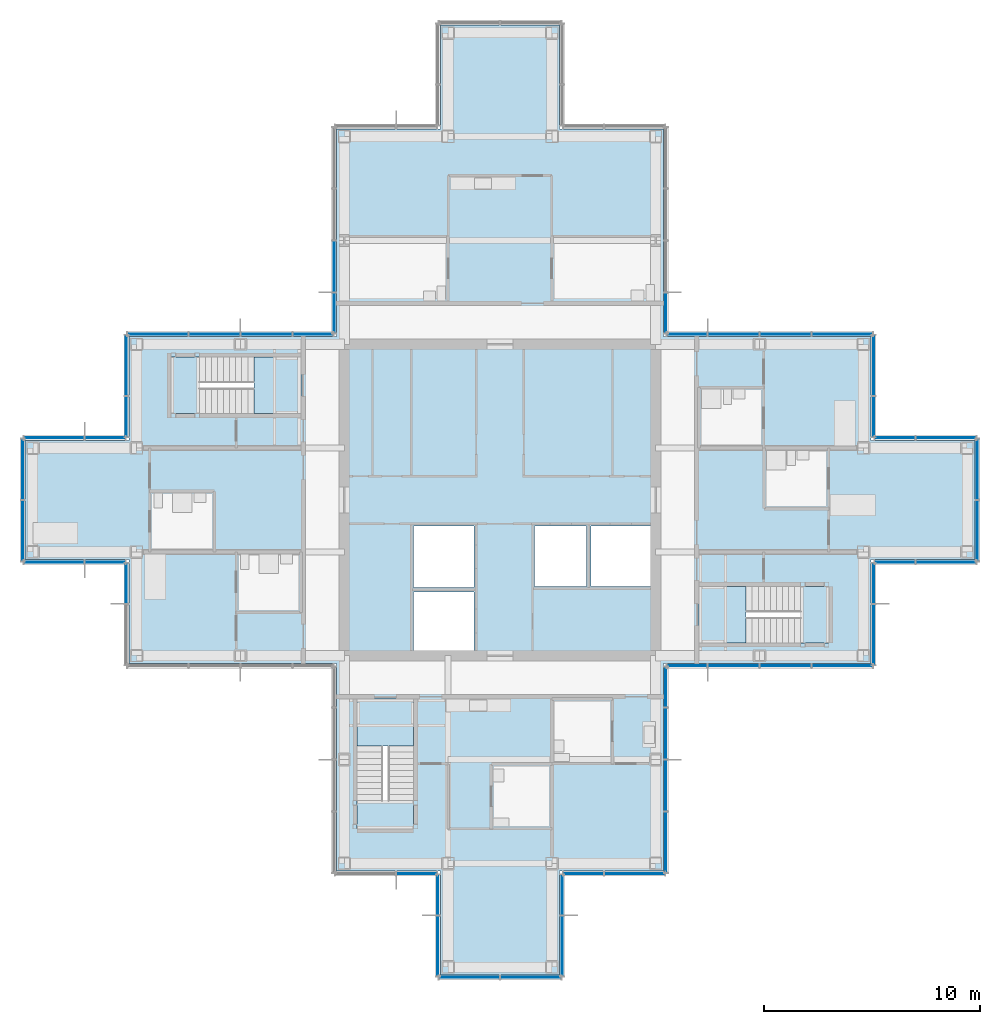
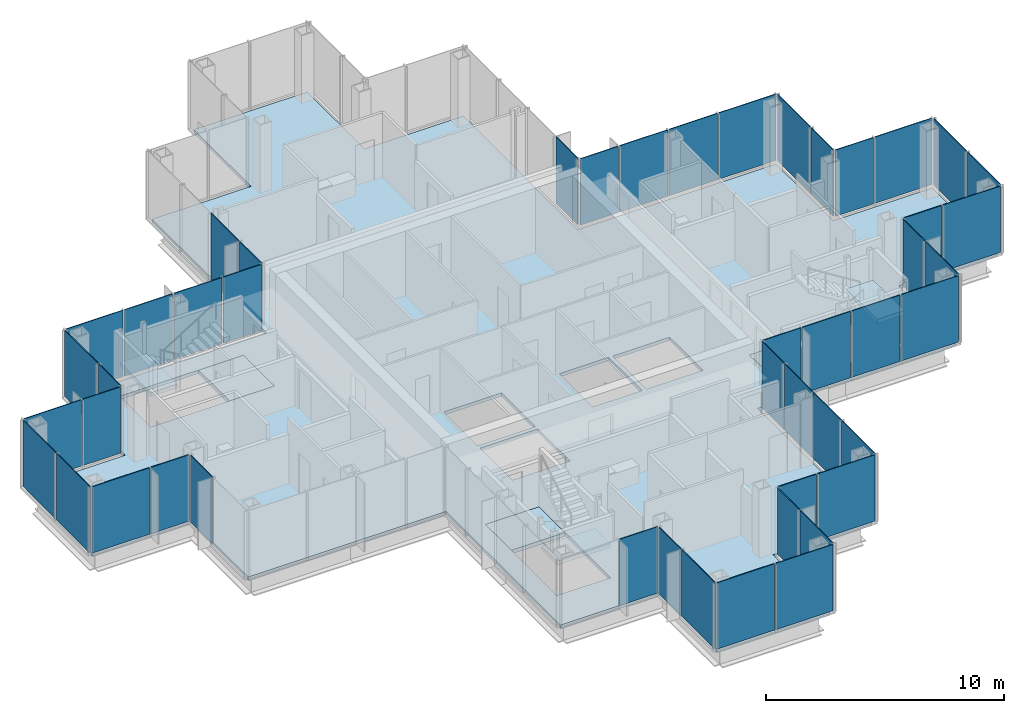
# One storey, part 10 of 17: 47 plates, 7 slabs, 24 elements without a shape of their own.
"""IFC4 building model written with IfcOpenShell, lengths in metres."""

from ifc_helpers import new_model, si_unit, direction, frame, origin, origin_2d, place, context, subcontext, project, spatial, polyline, rectangle, outline, extrude, material, layer, layer_set, type_object, element, aggregate, save


model = new_model("IFC4")

# Units and contexts
model_context = context("Model", 3, precision=1e-05, world=origin(), true_north=direction((0.0, 1.0)))
body_context = subcontext(model_context, "Body", "Model", "MODEL_VIEW")
ifc_project = project(units=[si_unit("LENGTHUNIT", "METRE"), si_unit("AREAUNIT", "SQUARE_METRE"), si_unit("VOLUMEUNIT", "CUBIC_METRE"), si_unit("PLANEANGLEUNIT", "RADIAN"), si_unit("MASSUNIT", "GRAM", prefix="KILO")], contexts=[model_context])

# Site, building, storey
site_placement = place(None, origin())
site = spatial("IfcSite", under=ifc_project, at=site_placement, CompositionType="ELEMENT")
building_placement = place(site_placement, origin())
building = spatial("IfcBuilding", under=site, at=building_placement, Name="Kvirike Care Tower", CompositionType="ELEMENT")
storey_placement = place(building_placement, frame((0.0, 0.0, 162.0)))
storey = spatial("IfcBuildingStorey", under=building, at=storey_placement, Name="L44", CompositionType="ELEMENT", Elevation=162.0)

# Slab
ifc_material_1 = material(Name="Concrete C35/45", Category="concrete")
ifc_layer_1 = layer(ifc_material_1, 0.169921875)
ifc_layer_set_1 = layer_set([ifc_layer_1], Name="FLOOR SLAB 170")
slab_type_1 = type_object("IfcSlabType", Name="FLOOR SLAB 170", PredefinedType="FLOOR", material=ifc_layer_set_1)
slab_1_placement = place(storey_placement, frame((0.0, 0.0, -0.169921875)))
element("IfcSlab", 1, at=slab_1_placement, inside=storey, type_object=slab_type_1, Name="Floor slab L44", PredefinedType="FLOOR", context=body_context, shape_type="SweptSolid", body=[
    extrude(outline(polyline([(29.14990234375, 28.449951171875), (38.75, 28.449951171875), (38.75, 33.25), (43.550048828125, 33.25), (43.550048828125, 38.75), (38.75, 38.75), (38.75, 43.550048828125), (29.14990234375, 43.550048828125), (29.14990234375, 53.14990234375), (24.35009765625, 53.14990234375), (24.35009765625, 57.949951171875), (18.85009765625, 57.949951171875), (18.85009765625, 53.14990234375), (14.050048828125, 53.14990234375), (14.050048828125, 43.550048828125), (4.449951171875, 43.550048828125), (4.449951171875, 38.75), (-0.35009765625, 38.75), (-0.35009765625, 33.25), (4.449951171875, 33.25), (4.449951171875, 28.449951171875), (14.050048828125, 28.449951171875), (14.050048828125, 18.85009765625), (18.85009765625, 18.85009765625), (18.85009765625, 14.050048828125), (24.35009765625, 14.050048828125), (24.35009765625, 18.85009765625), (29.14990234375, 18.85009765625), (29.14990234375, 28.449951171875)]), holes=[polyline([(17.60009765625, 29.050048828125), (17.60009765625, 31.75), (20.39990234375, 31.75), (20.39990234375, 29.050048828125), (17.60009765625, 29.050048828125)]), polyline([(17.60009765625, 31.949951171875), (17.60009765625, 34.800048828125), (20.39990234375, 34.800048828125), (20.39990234375, 31.949951171875), (17.60009765625, 31.949951171875)]), polyline([(23.199951171875, 32.0), (23.199951171875, 34.800048828125), (25.60009765625, 34.800048828125), (25.60009765625, 32.0), (23.199951171875, 32.0)]), polyline([(25.800048828125, 32.0), (25.800048828125, 34.800048828125), (28.550048828125, 34.800048828125), (28.550048828125, 32.0), (25.800048828125, 32.0)]), polyline([(12.39990234375, 42.60009765625), (12.39990234375, 40.0), (6.39990234375, 40.0), (6.39990234375, 42.60009765625), (12.39990234375, 42.60009765625)]), polyline([(30.800048828125, 29.39990234375), (30.800048828125, 32.0), (36.800048828125, 32.0), (36.800048828125, 29.39990234375), (30.800048828125, 29.39990234375)]), polyline([(15.0, 26.800048828125), (17.60009765625, 26.800048828125), (17.60009765625, 20.800048828125), (15.0, 20.800048828125), (15.0, 26.800048828125)])]), origin(), (0.0, 0.0, 1.0), 0.169921875),
])

# Stair, slabs
ifc_material_2 = material(Name="Concrete C35/45", Category="concrete")
stair_type = type_object("IfcStairType", Name="STAIR 20 RISERS", PredefinedType="HALF_TURN_STAIR", material=ifc_material_2)
stair_1_placement = place(storey_placement, origin())
stair_1 = element("IfcStair", 2, at=stair_1_placement, inside=storey, type_object=stair_type, Name="Stair 1 L44", PredefinedType="HALF_TURN_STAIR")
ifc_material_3 = material(Name="Concrete C35/45", Category="concrete")
ifc_layer_2 = layer(ifc_material_3, 0.199951171875)
ifc_layer_set_2 = layer_set([ifc_layer_2], Name="STAIR LANDING 200")
slab_type_2 = type_object("IfcSlabType", Name="STAIR LANDING 200", PredefinedType="LANDING", material=ifc_layer_set_2)
slab_2_placement = place(storey_placement, frame((0.0, 0.0, -0.199951171875)))
slab_2 = element("IfcSlab", 3, at=slab_2_placement, type_object=slab_type_2, Name="Stair S1 floor landing L44", PredefinedType="LANDING", context=body_context, shape_type="SweptSolid", body=[
    extrude(outline(polyline([(10.219970703125, 42.60009765625), (10.219970703125, 40.0), (12.39990234375, 40.0), (12.39990234375, 42.60009765625), (10.219970703125, 42.60009765625)])), origin(), (0.0, 0.0, 1.0), 0.199951171875),
])
slab_3_placement = place(storey_placement, frame((0.0, 0.0, 1.550048828125)))
slab_3 = element("IfcSlab", 4, at=slab_3_placement, type_object=slab_type_2, Name="Stair S1 half landing L44-L45", PredefinedType="LANDING", context=body_context, shape_type="SweptSolid", body=[
    extrude(outline(polyline([(6.39990234375, 42.60009765625), (6.39990234375, 40.0), (7.699951171875, 40.0), (7.699951171875, 42.60009765625), (6.39990234375, 42.60009765625)])), origin(), (0.0, 0.0, 1.0), 0.199951171875),
])
aggregate(stair_1, [slab_2, slab_3])

stair_2_placement = place(storey_placement, origin())
stair_2 = element("IfcStair", 5, at=stair_2_placement, inside=storey, type_object=stair_type, Name="Stair 2 L44", PredefinedType="HALF_TURN_STAIR")
slab_4_placement = place(storey_placement, frame((0.0, 0.0, -0.199951171875)))
slab_4 = element("IfcSlab", 6, at=slab_4_placement, type_object=slab_type_2, Name="Stair S2 floor landing L44", PredefinedType="LANDING", context=body_context, shape_type="SweptSolid", body=[
    extrude(outline(polyline([(32.97998046875, 29.39990234375), (32.97998046875, 32.0), (30.800048828125, 32.0), (30.800048828125, 29.39990234375), (32.97998046875, 29.39990234375)])), origin(), (0.0, 0.0, 1.0), 0.199951171875),
])
slab_5_placement = place(storey_placement, frame((0.0, 0.0, 1.550048828125)))
slab_5 = element("IfcSlab", 7, at=slab_5_placement, type_object=slab_type_2, Name="Stair S2 half landing L44-L45", PredefinedType="LANDING", context=body_context, shape_type="SweptSolid", body=[
    extrude(outline(polyline([(36.800048828125, 29.39990234375), (36.800048828125, 32.0), (35.5, 32.0), (35.5, 29.39990234375), (36.800048828125, 29.39990234375)])), origin(), (0.0, 0.0, 1.0), 0.199951171875),
])
aggregate(stair_2, [slab_4, slab_5])

stair_3_placement = place(storey_placement, origin())
stair_3 = element("IfcStair", 8, at=stair_3_placement, inside=storey, type_object=stair_type, Name="Stair 5 L44", PredefinedType="HALF_TURN_STAIR")
slab_6_placement = place(storey_placement, frame((0.0, 0.0, -0.199951171875)))
slab_6 = element("IfcSlab", 9, at=slab_6_placement, type_object=slab_type_2, Name="Stair S5 floor landing L44", PredefinedType="LANDING", context=body_context, shape_type="SweptSolid", body=[
    extrude(outline(polyline([(15.0, 24.6201171875), (17.60009765625, 24.6201171875), (17.60009765625, 26.800048828125), (15.0, 26.800048828125), (15.0, 24.6201171875)])), origin(), (0.0, 0.0, 1.0), 0.199951171875),
])
slab_7_placement = place(storey_placement, frame((0.0, 0.0, 1.550048828125)))
slab_7 = element("IfcSlab", 10, at=slab_7_placement, type_object=slab_type_2, Name="Stair S5 half landing L44-L45", PredefinedType="LANDING", context=body_context, shape_type="SweptSolid", body=[
    extrude(outline(polyline([(15.0, 20.800048828125), (17.60009765625, 20.800048828125), (17.60009765625, 22.10009765625), (15.0, 22.10009765625), (15.0, 20.800048828125)])), origin(), (0.0, 0.0, 1.0), 0.199951171875),
])
aggregate(stair_3, [slab_6, slab_7])

# Curtain wall, plates
ifc_material_4 = material(Name="Anodised aluminium stick system", Category="aluminium")
curtain_wall_type = type_object("IfcCurtainWallType", Name="CW-C STICK CURTAIN WALL", PredefinedType="NOTDEFINED", material=ifc_material_4)
curtain_wall_1_placement = place(storey_placement, origin())
curtain_wall_1 = element("IfcCurtainWall", 11, at=curtain_wall_1_placement, inside=storey, type_object=curtain_wall_type, Name="Curtain wall L44 face 1", PredefinedType="NOTDEFINED")
ifc_material_5 = material(Name="Tinted double glazed unit", Category="glass")
ifc_layer_3 = layer(ifc_material_5, 0.0400390625)
ifc_layer_set_3 = layer_set([ifc_layer_3], Name="TINTED VISION PANEL 40")
plate_type = type_object("IfcPlateType", Name="TINTED VISION PANEL 40", PredefinedType="CURTAIN_PANEL", material=ifc_layer_set_3)
plate_1_placement = place(storey_placement, frame((30.251220703125, 28.330078125, 0.10009765625), z_axis=(0.0, 0.0, 1.0), x_axis=(1.0, 0.0, 0.0)))
plate_1 = element("IfcPlate", 12, at=plate_1_placement, type_object=plate_type, Name="CW-C panel L44 face 1.1", PredefinedType="CURTAIN_PANEL", context=body_context, shape_type="SweptSolid", body=[
    extrude(rectangle(XDim=1.83251953125, YDim=0.0400390625, at=origin_2d()), origin(), (0.0, 0.0, 1.0), 3.39990234375),
])
plate_2_placement = place(storey_placement, frame((32.39990234375, 28.330078125, 0.10009765625), z_axis=(0.0, 0.0, 1.0), x_axis=(1.0, 0.0, 0.0)))
plate_2 = element("IfcPlate", 13, at=plate_2_placement, type_object=plate_type, Name="CW-C panel L44 face 1.2", PredefinedType="CURTAIN_PANEL", context=body_context, shape_type="SweptSolid", body=[
    extrude(rectangle(XDim=2.3349609375, YDim=0.0400390625, at=origin_2d()), origin(), (0.0, 0.0, 1.0), 3.39990234375),
])
plate_3_placement = place(storey_placement, frame((34.800048828125, 28.330078125, 0.10009765625), z_axis=(0.0, 0.0, 1.0), x_axis=(1.0, 0.0, 0.0)))
plate_3 = element("IfcPlate", 14, at=plate_3_placement, type_object=plate_type, Name="CW-C panel L44 face 1.3", PredefinedType="CURTAIN_PANEL", context=body_context, shape_type="SweptSolid", body=[
    extrude(rectangle(XDim=2.3349609375, YDim=0.0400390625, at=origin_2d()), origin(), (0.0, 0.0, 1.0), 3.39990234375),
])
plate_4_placement = place(storey_placement, frame((37.418701171875, 28.330078125, 0.10009765625), z_axis=(0.0, 0.0, 1.0), x_axis=(1.0, 0.0, 0.0)))
plate_4 = element("IfcPlate", 15, at=plate_4_placement, type_object=plate_type, Name="CW-C panel L44 face 1.4", PredefinedType="CURTAIN_PANEL", context=body_context, shape_type="SweptSolid", body=[
    extrude(rectangle(XDim=2.7724609375, YDim=0.0400390625, at=origin_2d()), origin(), (0.0, 0.0, 1.0), 3.39990234375),
])
aggregate(curtain_wall_1, [plate_1, plate_2, plate_3, plate_4])

curtain_wall_2_placement = place(storey_placement, origin())
curtain_wall_2 = element("IfcCurtainWall", 16, at=curtain_wall_2_placement, inside=storey, type_object=curtain_wall_type, Name="Curtain wall L44 face 2", PredefinedType="NOTDEFINED")
plate_5_placement = place(storey_placement, frame((38.8701171875, 29.78125, 0.10009765625), z_axis=(0.0, 0.0, 1.0), x_axis=(0.0, 1.0, 0.0)))
plate_5 = element("IfcPlate", 17, at=plate_5_placement, type_object=plate_type, Name="CW-C panel L44 face 2.1", PredefinedType="CURTAIN_PANEL", context=body_context, shape_type="SweptSolid", body=[
    extrude(rectangle(XDim=2.7724609375, YDim=0.0400390625, at=origin_2d()), origin(), (0.0, 0.0, 1.0), 3.39990234375),
])
plate_6_placement = place(storey_placement, frame((38.8701171875, 32.148681640625, 0.10009765625), z_axis=(0.0, 0.0, 1.0), x_axis=(0.0, 1.0, 0.0)))
plate_6 = element("IfcPlate", 18, at=plate_6_placement, type_object=plate_type, Name="CW-C panel L44 face 2.2", PredefinedType="CURTAIN_PANEL", context=body_context, shape_type="SweptSolid", body=[
    extrude(rectangle(XDim=1.83251953125, YDim=0.0400390625, at=origin_2d()), origin(), (0.0, 0.0, 1.0), 3.39990234375),
])
aggregate(curtain_wall_2, [plate_5, plate_6])

curtain_wall_3_placement = place(storey_placement, origin())
curtain_wall_3 = element("IfcCurtainWall", 19, at=curtain_wall_3_placement, inside=storey, type_object=curtain_wall_type, Name="Curtain wall L44 face 3", PredefinedType="NOTDEFINED")
plate_7_placement = place(storey_placement, frame((39.851318359375, 33.1298828125, 0.10009765625), z_axis=(0.0, 0.0, 1.0), x_axis=(1.0, 0.0, 0.0)))
plate_7 = element("IfcPlate", 20, at=plate_7_placement, type_object=plate_type, Name="CW-C panel L44 face 3.1", PredefinedType="CURTAIN_PANEL", context=body_context, shape_type="SweptSolid", body=[
    extrude(rectangle(XDim=1.83251953125, YDim=0.0400390625, at=origin_2d()), origin(), (0.0, 0.0, 1.0), 3.39990234375),
])
plate_8_placement = place(storey_placement, frame((42.21875, 33.1298828125, 0.10009765625), z_axis=(0.0, 0.0, 1.0), x_axis=(1.0, 0.0, 0.0)))
plate_8 = element("IfcPlate", 21, at=plate_8_placement, type_object=plate_type, Name="CW-C panel L44 face 3.2", PredefinedType="CURTAIN_PANEL", context=body_context, shape_type="SweptSolid", body=[
    extrude(rectangle(XDim=2.7724609375, YDim=0.0400390625, at=origin_2d()), origin(), (0.0, 0.0, 1.0), 3.39990234375),
])
aggregate(curtain_wall_3, [plate_7, plate_8])

curtain_wall_4_placement = place(storey_placement, origin())
curtain_wall_4 = element("IfcCurtainWall", 22, at=curtain_wall_4_placement, inside=storey, type_object=curtain_wall_type, Name="Curtain wall L44 face 4", PredefinedType="NOTDEFINED")
plate_9_placement = place(storey_placement, frame((43.669921875, 34.581298828125, 0.10009765625), z_axis=(0.0, 0.0, 1.0), x_axis=(0.0, 1.0, 0.0)))
plate_9 = element("IfcPlate", 23, at=plate_9_placement, type_object=plate_type, Name="CW-C panel L44 face 4.1", PredefinedType="CURTAIN_PANEL", context=body_context, shape_type="SweptSolid", body=[
    extrude(rectangle(XDim=2.7724609375, YDim=0.0400390625, at=origin_2d()), origin(), (0.0, 0.0, 1.0), 3.39990234375),
])
plate_10_placement = place(storey_placement, frame((43.669921875, 37.418701171875, 0.10009765625), z_axis=(0.0, 0.0, 1.0), x_axis=(0.0, 1.0, 0.0)))
plate_10 = element("IfcPlate", 24, at=plate_10_placement, type_object=plate_type, Name="CW-C panel L44 face 4.2", PredefinedType="CURTAIN_PANEL", context=body_context, shape_type="SweptSolid", body=[
    extrude(rectangle(XDim=2.7724609375, YDim=0.0400390625, at=origin_2d()), origin(), (0.0, 0.0, 1.0), 3.39990234375),
])
aggregate(curtain_wall_4, [plate_9, plate_10])

curtain_wall_5_placement = place(storey_placement, origin())
curtain_wall_5 = element("IfcCurtainWall", 25, at=curtain_wall_5_placement, inside=storey, type_object=curtain_wall_type, Name="Curtain wall L44 face 5", PredefinedType="NOTDEFINED")
plate_11_placement = place(storey_placement, frame((42.21875, 38.8701171875, 0.10009765625), z_axis=(0.0, 0.0, 1.0), x_axis=(-1.0, 0.0, 0.0)))
plate_11 = element("IfcPlate", 26, at=plate_11_placement, type_object=plate_type, Name="CW-C panel L44 face 5.1", PredefinedType="CURTAIN_PANEL", context=body_context, shape_type="SweptSolid", body=[
    extrude(rectangle(XDim=2.7724609375, YDim=0.0400390625, at=origin_2d()), origin(), (0.0, 0.0, 1.0), 3.39990234375),
])
plate_12_placement = place(storey_placement, frame((39.851318359375, 38.8701171875, 0.10009765625), z_axis=(0.0, 0.0, 1.0), x_axis=(-1.0, 0.0, 0.0)))
plate_12 = element("IfcPlate", 27, at=plate_12_placement, type_object=plate_type, Name="CW-C panel L44 face 5.2", PredefinedType="CURTAIN_PANEL", context=body_context, shape_type="SweptSolid", body=[
    extrude(rectangle(XDim=1.83251953125, YDim=0.0400390625, at=origin_2d()), origin(), (0.0, 0.0, 1.0), 3.39990234375),
])
aggregate(curtain_wall_5, [plate_11, plate_12])

curtain_wall_6_placement = place(storey_placement, origin())
curtain_wall_6 = element("IfcCurtainWall", 28, at=curtain_wall_6_placement, inside=storey, type_object=curtain_wall_type, Name="Curtain wall L44 face 6", PredefinedType="NOTDEFINED")
plate_13_placement = place(storey_placement, frame((38.8701171875, 39.851318359375, 0.10009765625), z_axis=(0.0, 0.0, 1.0), x_axis=(0.0, 1.0, 0.0)))
plate_13 = element("IfcPlate", 29, at=plate_13_placement, type_object=plate_type, Name="CW-C panel L44 face 6.1", PredefinedType="CURTAIN_PANEL", context=body_context, shape_type="SweptSolid", body=[
    extrude(rectangle(XDim=1.83251953125, YDim=0.0400390625, at=origin_2d()), origin(), (0.0, 0.0, 1.0), 3.39990234375),
])
plate_14_placement = place(storey_placement, frame((38.8701171875, 42.21875, 0.10009765625), z_axis=(0.0, 0.0, 1.0), x_axis=(0.0, 1.0, 0.0)))
plate_14 = element("IfcPlate", 30, at=plate_14_placement, type_object=plate_type, Name="CW-C panel L44 face 6.2", PredefinedType="CURTAIN_PANEL", context=body_context, shape_type="SweptSolid", body=[
    extrude(rectangle(XDim=2.7724609375, YDim=0.0400390625, at=origin_2d()), origin(), (0.0, 0.0, 1.0), 3.39990234375),
])
aggregate(curtain_wall_6, [plate_13, plate_14])

curtain_wall_7_placement = place(storey_placement, origin())
curtain_wall_7 = element("IfcCurtainWall", 31, at=curtain_wall_7_placement, inside=storey, type_object=curtain_wall_type, Name="Curtain wall L44 face 7", PredefinedType="NOTDEFINED")
plate_15_placement = place(storey_placement, frame((37.418701171875, 43.669921875, 0.10009765625), z_axis=(0.0, 0.0, 1.0), x_axis=(-1.0, 0.0, 0.0)))
plate_15 = element("IfcPlate", 32, at=plate_15_placement, type_object=plate_type, Name="CW-C panel L44 face 7.1", PredefinedType="CURTAIN_PANEL", context=body_context, shape_type="SweptSolid", body=[
    extrude(rectangle(XDim=2.7724609375, YDim=0.0400390625, at=origin_2d()), origin(), (0.0, 0.0, 1.0), 3.39990234375),
])
plate_16_placement = place(storey_placement, frame((34.800048828125, 43.669921875, 0.10009765625), z_axis=(0.0, 0.0, 1.0), x_axis=(-1.0, 0.0, 0.0)))
plate_16 = element("IfcPlate", 33, at=plate_16_placement, type_object=plate_type, Name="CW-C panel L44 face 7.2", PredefinedType="CURTAIN_PANEL", context=body_context, shape_type="SweptSolid", body=[
    extrude(rectangle(XDim=2.3349609375, YDim=0.0400390625, at=origin_2d()), origin(), (0.0, 0.0, 1.0), 3.39990234375),
])
plate_17_placement = place(storey_placement, frame((32.39990234375, 43.669921875, 0.10009765625), z_axis=(0.0, 0.0, 1.0), x_axis=(-1.0, 0.0, 0.0)))
plate_17 = element("IfcPlate", 34, at=plate_17_placement, type_object=plate_type, Name="CW-C panel L44 face 7.3", PredefinedType="CURTAIN_PANEL", context=body_context, shape_type="SweptSolid", body=[
    extrude(rectangle(XDim=2.3349609375, YDim=0.0400390625, at=origin_2d()), origin(), (0.0, 0.0, 1.0), 3.39990234375),
])
plate_18_placement = place(storey_placement, frame((30.251220703125, 43.669921875, 0.10009765625), z_axis=(0.0, 0.0, 1.0), x_axis=(-1.0, 0.0, 0.0)))
plate_18 = element("IfcPlate", 35, at=plate_18_placement, type_object=plate_type, Name="CW-C panel L44 face 7.4", PredefinedType="CURTAIN_PANEL", context=body_context, shape_type="SweptSolid", body=[
    extrude(rectangle(XDim=1.83251953125, YDim=0.0400390625, at=origin_2d()), origin(), (0.0, 0.0, 1.0), 3.39990234375),
])
aggregate(curtain_wall_7, [plate_15, plate_16, plate_17, plate_18])

# Curtain wall, plate
curtain_wall_8_placement = place(storey_placement, origin())
curtain_wall_8 = element("IfcCurtainWall", 36, at=curtain_wall_8_placement, inside=storey, type_object=curtain_wall_type, Name="Curtain wall L44 face 8", PredefinedType="NOTDEFINED")
plate_19_placement = place(storey_placement, frame((29.27001953125, 44.6513671875, 0.10009765625), z_axis=(0.0, 0.0, 1.0), x_axis=(0.0, 1.0, 0.0)))
plate_19 = element("IfcPlate", 37, at=plate_19_placement, type_object=plate_type, Name="CW-C panel L44 face 8.1", PredefinedType="CURTAIN_PANEL", context=body_context, shape_type="SweptSolid", body=[
    extrude(rectangle(XDim=1.83251953125, YDim=0.0400390625, at=origin_2d()), origin(), (0.0, 0.0, 1.0), 3.39990234375),
])
aggregate(curtain_wall_8, [plate_19])

# Curtain wall, plates
curtain_wall_9_placement = place(storey_placement, origin())
curtain_wall_9 = element("IfcCurtainWall", 38, at=curtain_wall_9_placement, inside=storey, type_object=curtain_wall_type, Name="Curtain wall L44 face 14", PredefinedType="NOTDEFINED")
plate_20_placement = place(storey_placement, frame((13.929931640625, 46.800048828125, 0.10009765625), z_axis=(0.0, 0.0, 1.0), x_axis=(0.0, -1.0, 0.0)))
plate_20 = element("IfcPlate", 39, at=plate_20_placement, type_object=plate_type, Name="CW-C panel L44 face 14.3", PredefinedType="CURTAIN_PANEL", context=body_context, shape_type="SweptSolid", body=[
    extrude(rectangle(XDim=2.3349609375, YDim=0.0400390625, at=origin_2d()), origin(), (0.0, 0.0, 1.0), 3.39990234375),
])
plate_21_placement = place(storey_placement, frame((13.929931640625, 44.6513671875, 0.10009765625), z_axis=(0.0, 0.0, 1.0), x_axis=(0.0, -1.0, 0.0)))
plate_21 = element("IfcPlate", 40, at=plate_21_placement, type_object=plate_type, Name="CW-C panel L44 face 14.4", PredefinedType="CURTAIN_PANEL", context=body_context, shape_type="SweptSolid", body=[
    extrude(rectangle(XDim=1.83251953125, YDim=0.0400390625, at=origin_2d()), origin(), (0.0, 0.0, 1.0), 3.39990234375),
])
aggregate(curtain_wall_9, [plate_20, plate_21])

curtain_wall_10_placement = place(storey_placement, origin())
curtain_wall_10 = element("IfcCurtainWall", 41, at=curtain_wall_10_placement, inside=storey, type_object=curtain_wall_type, Name="Curtain wall L44 face 15", PredefinedType="NOTDEFINED")
plate_22_placement = place(storey_placement, frame((12.94873046875, 43.669921875, 0.10009765625), z_axis=(0.0, 0.0, 1.0), x_axis=(-1.0, 0.0, 0.0)))
plate_22 = element("IfcPlate", 42, at=plate_22_placement, type_object=plate_type, Name="CW-C panel L44 face 15.1", PredefinedType="CURTAIN_PANEL", context=body_context, shape_type="SweptSolid", body=[
    extrude(rectangle(XDim=1.83251953125, YDim=0.0400390625, at=origin_2d()), origin(), (0.0, 0.0, 1.0), 3.39990234375),
])
plate_23_placement = place(storey_placement, frame((10.800048828125, 43.669921875, 0.10009765625), z_axis=(0.0, 0.0, 1.0), x_axis=(-1.0, 0.0, 0.0)))
plate_23 = element("IfcPlate", 43, at=plate_23_placement, type_object=plate_type, Name="CW-C panel L44 face 15.2", PredefinedType="CURTAIN_PANEL", context=body_context, shape_type="SweptSolid", body=[
    extrude(rectangle(XDim=2.3349609375, YDim=0.0400390625, at=origin_2d()), origin(), (0.0, 0.0, 1.0), 3.39990234375),
])
plate_24_placement = place(storey_placement, frame((8.39990234375, 43.669921875, 0.10009765625), z_axis=(0.0, 0.0, 1.0), x_axis=(-1.0, 0.0, 0.0)))
plate_24 = element("IfcPlate", 44, at=plate_24_placement, type_object=plate_type, Name="CW-C panel L44 face 15.3", PredefinedType="CURTAIN_PANEL", context=body_context, shape_type="SweptSolid", body=[
    extrude(rectangle(XDim=2.3349609375, YDim=0.0400390625, at=origin_2d()), origin(), (0.0, 0.0, 1.0), 3.39990234375),
])
plate_25_placement = place(storey_placement, frame((5.78125, 43.669921875, 0.10009765625), z_axis=(0.0, 0.0, 1.0), x_axis=(-1.0, 0.0, 0.0)))
plate_25 = element("IfcPlate", 45, at=plate_25_placement, type_object=plate_type, Name="CW-C panel L44 face 15.4", PredefinedType="CURTAIN_PANEL", context=body_context, shape_type="SweptSolid", body=[
    extrude(rectangle(XDim=2.7724609375, YDim=0.0400390625, at=origin_2d()), origin(), (0.0, 0.0, 1.0), 3.39990234375),
])
aggregate(curtain_wall_10, [plate_22, plate_23, plate_24, plate_25])

curtain_wall_11_placement = place(storey_placement, origin())
curtain_wall_11 = element("IfcCurtainWall", 46, at=curtain_wall_11_placement, inside=storey, type_object=curtain_wall_type, Name="Curtain wall L44 face 16", PredefinedType="NOTDEFINED")
plate_26_placement = place(storey_placement, frame((4.330078125, 42.21875, 0.10009765625), z_axis=(0.0, 0.0, 1.0), x_axis=(0.0, -1.0, 0.0)))
plate_26 = element("IfcPlate", 47, at=plate_26_placement, type_object=plate_type, Name="CW-C panel L44 face 16.1", PredefinedType="CURTAIN_PANEL", context=body_context, shape_type="SweptSolid", body=[
    extrude(rectangle(XDim=2.7724609375, YDim=0.0400390625, at=origin_2d()), origin(), (0.0, 0.0, 1.0), 3.39990234375),
])
plate_27_placement = place(storey_placement, frame((4.330078125, 39.851318359375, 0.10009765625), z_axis=(0.0, 0.0, 1.0), x_axis=(0.0, -1.0, 0.0)))
plate_27 = element("IfcPlate", 48, at=plate_27_placement, type_object=plate_type, Name="CW-C panel L44 face 16.2", PredefinedType="CURTAIN_PANEL", context=body_context, shape_type="SweptSolid", body=[
    extrude(rectangle(XDim=1.83251953125, YDim=0.0400390625, at=origin_2d()), origin(), (0.0, 0.0, 1.0), 3.39990234375),
])
aggregate(curtain_wall_11, [plate_26, plate_27])

curtain_wall_12_placement = place(storey_placement, origin())
curtain_wall_12 = element("IfcCurtainWall", 49, at=curtain_wall_12_placement, inside=storey, type_object=curtain_wall_type, Name="Curtain wall L44 face 17", PredefinedType="NOTDEFINED")
plate_28_placement = place(storey_placement, frame((3.3486328125, 38.8701171875, 0.10009765625), z_axis=(0.0, 0.0, 1.0), x_axis=(-1.0, 0.0, 0.0)))
plate_28 = element("IfcPlate", 50, at=plate_28_placement, type_object=plate_type, Name="CW-C panel L44 face 17.1", PredefinedType="CURTAIN_PANEL", context=body_context, shape_type="SweptSolid", body=[
    extrude(rectangle(XDim=1.83251953125, YDim=0.0400390625, at=origin_2d()), origin(), (0.0, 0.0, 1.0), 3.39990234375),
])
plate_29_placement = place(storey_placement, frame((0.981201171875, 38.8701171875, 0.10009765625), z_axis=(0.0, 0.0, 1.0), x_axis=(-1.0, 0.0, 0.0)))
plate_29 = element("IfcPlate", 51, at=plate_29_placement, type_object=plate_type, Name="CW-C panel L44 face 17.2", PredefinedType="CURTAIN_PANEL", context=body_context, shape_type="SweptSolid", body=[
    extrude(rectangle(XDim=2.7724609375, YDim=0.0400390625, at=origin_2d()), origin(), (0.0, 0.0, 1.0), 3.39990234375),
])
aggregate(curtain_wall_12, [plate_28, plate_29])

curtain_wall_13_placement = place(storey_placement, origin())
curtain_wall_13 = element("IfcCurtainWall", 52, at=curtain_wall_13_placement, inside=storey, type_object=curtain_wall_type, Name="Curtain wall L44 face 18", PredefinedType="NOTDEFINED")
plate_30_placement = place(storey_placement, frame((-0.469970703125, 37.418701171875, 0.10009765625), z_axis=(0.0, 0.0, 1.0), x_axis=(0.0, -1.0, 0.0)))
plate_30 = element("IfcPlate", 53, at=plate_30_placement, type_object=plate_type, Name="CW-C panel L44 face 18.1", PredefinedType="CURTAIN_PANEL", context=body_context, shape_type="SweptSolid", body=[
    extrude(rectangle(XDim=2.7724609375, YDim=0.0400390625, at=origin_2d()), origin(), (0.0, 0.0, 1.0), 3.39990234375),
])
plate_31_placement = place(storey_placement, frame((-0.469970703125, 34.581298828125, 0.10009765625), z_axis=(0.0, 0.0, 1.0), x_axis=(0.0, -1.0, 0.0)))
plate_31 = element("IfcPlate", 54, at=plate_31_placement, type_object=plate_type, Name="CW-C panel L44 face 18.2", PredefinedType="CURTAIN_PANEL", context=body_context, shape_type="SweptSolid", body=[
    extrude(rectangle(XDim=2.7724609375, YDim=0.0400390625, at=origin_2d()), origin(), (0.0, 0.0, 1.0), 3.39990234375),
])
aggregate(curtain_wall_13, [plate_30, plate_31])

curtain_wall_14_placement = place(storey_placement, origin())
curtain_wall_14 = element("IfcCurtainWall", 55, at=curtain_wall_14_placement, inside=storey, type_object=curtain_wall_type, Name="Curtain wall L44 face 19", PredefinedType="NOTDEFINED")
plate_32_placement = place(storey_placement, frame((0.981201171875, 33.1298828125, 0.10009765625), z_axis=(0.0, 0.0, 1.0), x_axis=(1.0, 0.0, 0.0)))
plate_32 = element("IfcPlate", 56, at=plate_32_placement, type_object=plate_type, Name="CW-C panel L44 face 19.1", PredefinedType="CURTAIN_PANEL", context=body_context, shape_type="SweptSolid", body=[
    extrude(rectangle(XDim=2.7724609375, YDim=0.0400390625, at=origin_2d()), origin(), (0.0, 0.0, 1.0), 3.39990234375),
])
plate_33_placement = place(storey_placement, frame((3.3486328125, 33.1298828125, 0.10009765625), z_axis=(0.0, 0.0, 1.0), x_axis=(1.0, 0.0, 0.0)))
plate_33 = element("IfcPlate", 57, at=plate_33_placement, type_object=plate_type, Name="CW-C panel L44 face 19.2", PredefinedType="CURTAIN_PANEL", context=body_context, shape_type="SweptSolid", body=[
    extrude(rectangle(XDim=1.83251953125, YDim=0.0400390625, at=origin_2d()), origin(), (0.0, 0.0, 1.0), 3.39990234375),
])
aggregate(curtain_wall_14, [plate_32, plate_33])

# Curtain wall, plate
curtain_wall_15_placement = place(storey_placement, origin())
curtain_wall_15 = element("IfcCurtainWall", 58, at=curtain_wall_15_placement, inside=storey, type_object=curtain_wall_type, Name="Curtain wall L44 face 20", PredefinedType="NOTDEFINED")
plate_34_placement = place(storey_placement, frame((4.330078125, 32.148681640625, 0.10009765625), z_axis=(0.0, 0.0, 1.0), x_axis=(0.0, -1.0, 0.0)))
plate_34 = element("IfcPlate", 59, at=plate_34_placement, type_object=plate_type, Name="CW-C panel L44 face 20.1", PredefinedType="CURTAIN_PANEL", context=body_context, shape_type="SweptSolid", body=[
    extrude(rectangle(XDim=1.83251953125, YDim=0.0400390625, at=origin_2d()), origin(), (0.0, 0.0, 1.0), 3.39990234375),
])
aggregate(curtain_wall_15, [plate_34])

curtain_wall_16_placement = place(storey_placement, origin())
curtain_wall_16 = element("IfcCurtainWall", 60, at=curtain_wall_16_placement, inside=storey, type_object=curtain_wall_type, Name="Curtain wall L44 face 23", PredefinedType="NOTDEFINED")
plate_35_placement = place(storey_placement, frame((17.748779296875, 18.72998046875, 0.10009765625), z_axis=(0.0, 0.0, 1.0), x_axis=(1.0, 0.0, 0.0)))
plate_35 = element("IfcPlate", 61, at=plate_35_placement, type_object=plate_type, Name="CW-C panel L44 face 23.2", PredefinedType="CURTAIN_PANEL", context=body_context, shape_type="SweptSolid", body=[
    extrude(rectangle(XDim=1.83251953125, YDim=0.0400390625, at=origin_2d()), origin(), (0.0, 0.0, 1.0), 3.39990234375),
])
aggregate(curtain_wall_16, [plate_35])

# Curtain wall, plates
curtain_wall_17_placement = place(storey_placement, origin())
curtain_wall_17 = element("IfcCurtainWall", 62, at=curtain_wall_17_placement, inside=storey, type_object=curtain_wall_type, Name="Curtain wall L44 face 24", PredefinedType="NOTDEFINED")
plate_36_placement = place(storey_placement, frame((18.72998046875, 17.748779296875, 0.10009765625), z_axis=(0.0, 0.0, 1.0), x_axis=(0.0, -1.0, 0.0)))
plate_36 = element("IfcPlate", 63, at=plate_36_placement, type_object=plate_type, Name="CW-C panel L44 face 24.1", PredefinedType="CURTAIN_PANEL", context=body_context, shape_type="SweptSolid", body=[
    extrude(rectangle(XDim=1.83251953125, YDim=0.0400390625, at=origin_2d()), origin(), (0.0, 0.0, 1.0), 3.39990234375),
])
plate_37_placement = place(storey_placement, frame((18.72998046875, 15.38134765625, 0.10009765625), z_axis=(0.0, 0.0, 1.0), x_axis=(0.0, -1.0, 0.0)))
plate_37 = element("IfcPlate", 64, at=plate_37_placement, type_object=plate_type, Name="CW-C panel L44 face 24.2", PredefinedType="CURTAIN_PANEL", context=body_context, shape_type="SweptSolid", body=[
    extrude(rectangle(XDim=2.7724609375, YDim=0.0400390625, at=origin_2d()), origin(), (0.0, 0.0, 1.0), 3.39990234375),
])
aggregate(curtain_wall_17, [plate_36, plate_37])

curtain_wall_18_placement = place(storey_placement, origin())
curtain_wall_18 = element("IfcCurtainWall", 65, at=curtain_wall_18_placement, inside=storey, type_object=curtain_wall_type, Name="Curtain wall L44 face 25", PredefinedType="NOTDEFINED")
plate_38_placement = place(storey_placement, frame((20.18115234375, 13.929931640625, 0.10009765625), z_axis=(0.0, 0.0, 1.0), x_axis=(1.0, 0.0, 0.0)))
plate_38 = element("IfcPlate", 66, at=plate_38_placement, type_object=plate_type, Name="CW-C panel L44 face 25.1", PredefinedType="CURTAIN_PANEL", context=body_context, shape_type="SweptSolid", body=[
    extrude(rectangle(XDim=2.7724609375, YDim=0.0400390625, at=origin_2d()), origin(), (0.0, 0.0, 1.0), 3.39990234375),
])
plate_39_placement = place(storey_placement, frame((23.018798828125, 13.929931640625, 0.10009765625), z_axis=(0.0, 0.0, 1.0), x_axis=(1.0, 0.0, 0.0)))
plate_39 = element("IfcPlate", 67, at=plate_39_placement, type_object=plate_type, Name="CW-C panel L44 face 25.2", PredefinedType="CURTAIN_PANEL", context=body_context, shape_type="SweptSolid", body=[
    extrude(rectangle(XDim=2.7724609375, YDim=0.0400390625, at=origin_2d()), origin(), (0.0, 0.0, 1.0), 3.39990234375),
])
aggregate(curtain_wall_18, [plate_38, plate_39])

curtain_wall_19_placement = place(storey_placement, origin())
curtain_wall_19 = element("IfcCurtainWall", 68, at=curtain_wall_19_placement, inside=storey, type_object=curtain_wall_type, Name="Curtain wall L44 face 26", PredefinedType="NOTDEFINED")
plate_40_placement = place(storey_placement, frame((24.469970703125, 15.38134765625, 0.10009765625), z_axis=(0.0, 0.0, 1.0), x_axis=(0.0, 1.0, 0.0)))
plate_40 = element("IfcPlate", 69, at=plate_40_placement, type_object=plate_type, Name="CW-C panel L44 face 26.1", PredefinedType="CURTAIN_PANEL", context=body_context, shape_type="SweptSolid", body=[
    extrude(rectangle(XDim=2.7724609375, YDim=0.0400390625, at=origin_2d()), origin(), (0.0, 0.0, 1.0), 3.39990234375),
])
plate_41_placement = place(storey_placement, frame((24.469970703125, 17.748779296875, 0.10009765625), z_axis=(0.0, 0.0, 1.0), x_axis=(0.0, 1.0, 0.0)))
plate_41 = element("IfcPlate", 70, at=plate_41_placement, type_object=plate_type, Name="CW-C panel L44 face 26.2", PredefinedType="CURTAIN_PANEL", context=body_context, shape_type="SweptSolid", body=[
    extrude(rectangle(XDim=1.83251953125, YDim=0.0400390625, at=origin_2d()), origin(), (0.0, 0.0, 1.0), 3.39990234375),
])
aggregate(curtain_wall_19, [plate_40, plate_41])

curtain_wall_20_placement = place(storey_placement, origin())
curtain_wall_20 = element("IfcCurtainWall", 71, at=curtain_wall_20_placement, inside=storey, type_object=curtain_wall_type, Name="Curtain wall L44 face 27", PredefinedType="NOTDEFINED")
plate_42_placement = place(storey_placement, frame((25.451171875, 18.72998046875, 0.10009765625), z_axis=(0.0, 0.0, 1.0), x_axis=(1.0, 0.0, 0.0)))
plate_42 = element("IfcPlate", 72, at=plate_42_placement, type_object=plate_type, Name="CW-C panel L44 face 27.1", PredefinedType="CURTAIN_PANEL", context=body_context, shape_type="SweptSolid", body=[
    extrude(rectangle(XDim=1.83251953125, YDim=0.0400390625, at=origin_2d()), origin(), (0.0, 0.0, 1.0), 3.39990234375),
])
plate_43_placement = place(storey_placement, frame((27.81884765625, 18.72998046875, 0.10009765625), z_axis=(0.0, 0.0, 1.0), x_axis=(1.0, 0.0, 0.0)))
plate_43 = element("IfcPlate", 73, at=plate_43_placement, type_object=plate_type, Name="CW-C panel L44 face 27.2", PredefinedType="CURTAIN_PANEL", context=body_context, shape_type="SweptSolid", body=[
    extrude(rectangle(XDim=2.7724609375, YDim=0.0400390625, at=origin_2d()), origin(), (0.0, 0.0, 1.0), 3.39990234375),
])
aggregate(curtain_wall_20, [plate_42, plate_43])

curtain_wall_21_placement = place(storey_placement, origin())
curtain_wall_21 = element("IfcCurtainWall", 74, at=curtain_wall_21_placement, inside=storey, type_object=curtain_wall_type, Name="Curtain wall L44 face 28", PredefinedType="NOTDEFINED")
plate_44_placement = place(storey_placement, frame((29.27001953125, 20.18115234375, 0.10009765625), z_axis=(0.0, 0.0, 1.0), x_axis=(0.0, 1.0, 0.0)))
plate_44 = element("IfcPlate", 75, at=plate_44_placement, type_object=plate_type, Name="CW-C panel L44 face 28.1", PredefinedType="CURTAIN_PANEL", context=body_context, shape_type="SweptSolid", body=[
    extrude(rectangle(XDim=2.7724609375, YDim=0.0400390625, at=origin_2d()), origin(), (0.0, 0.0, 1.0), 3.39990234375),
])
plate_45_placement = place(storey_placement, frame((29.27001953125, 22.800048828125, 0.10009765625), z_axis=(0.0, 0.0, 1.0), x_axis=(0.0, 1.0, 0.0)))
plate_45 = element("IfcPlate", 76, at=plate_45_placement, type_object=plate_type, Name="CW-C panel L44 face 28.2", PredefinedType="CURTAIN_PANEL", context=body_context, shape_type="SweptSolid", body=[
    extrude(rectangle(XDim=2.3349609375, YDim=0.0400390625, at=origin_2d()), origin(), (0.0, 0.0, 1.0), 3.39990234375),
])
plate_46_placement = place(storey_placement, frame((29.27001953125, 25.199951171875, 0.10009765625), z_axis=(0.0, 0.0, 1.0), x_axis=(0.0, 1.0, 0.0)))
plate_46 = element("IfcPlate", 77, at=plate_46_placement, type_object=plate_type, Name="CW-C panel L44 face 28.3", PredefinedType="CURTAIN_PANEL", context=body_context, shape_type="SweptSolid", body=[
    extrude(rectangle(XDim=2.3349609375, YDim=0.0400390625, at=origin_2d()), origin(), (0.0, 0.0, 1.0), 3.39990234375),
])
plate_47_placement = place(storey_placement, frame((29.27001953125, 27.3486328125, 0.10009765625), z_axis=(0.0, 0.0, 1.0), x_axis=(0.0, 1.0, 0.0)))
plate_47 = element("IfcPlate", 78, at=plate_47_placement, type_object=plate_type, Name="CW-C panel L44 face 28.4", PredefinedType="CURTAIN_PANEL", context=body_context, shape_type="SweptSolid", body=[
    extrude(rectangle(XDim=1.83251953125, YDim=0.0400390625, at=origin_2d()), origin(), (0.0, 0.0, 1.0), 3.39990234375),
])
aggregate(curtain_wall_21, [plate_44, plate_45, plate_46, plate_47])

save(model, "model.ifc")
